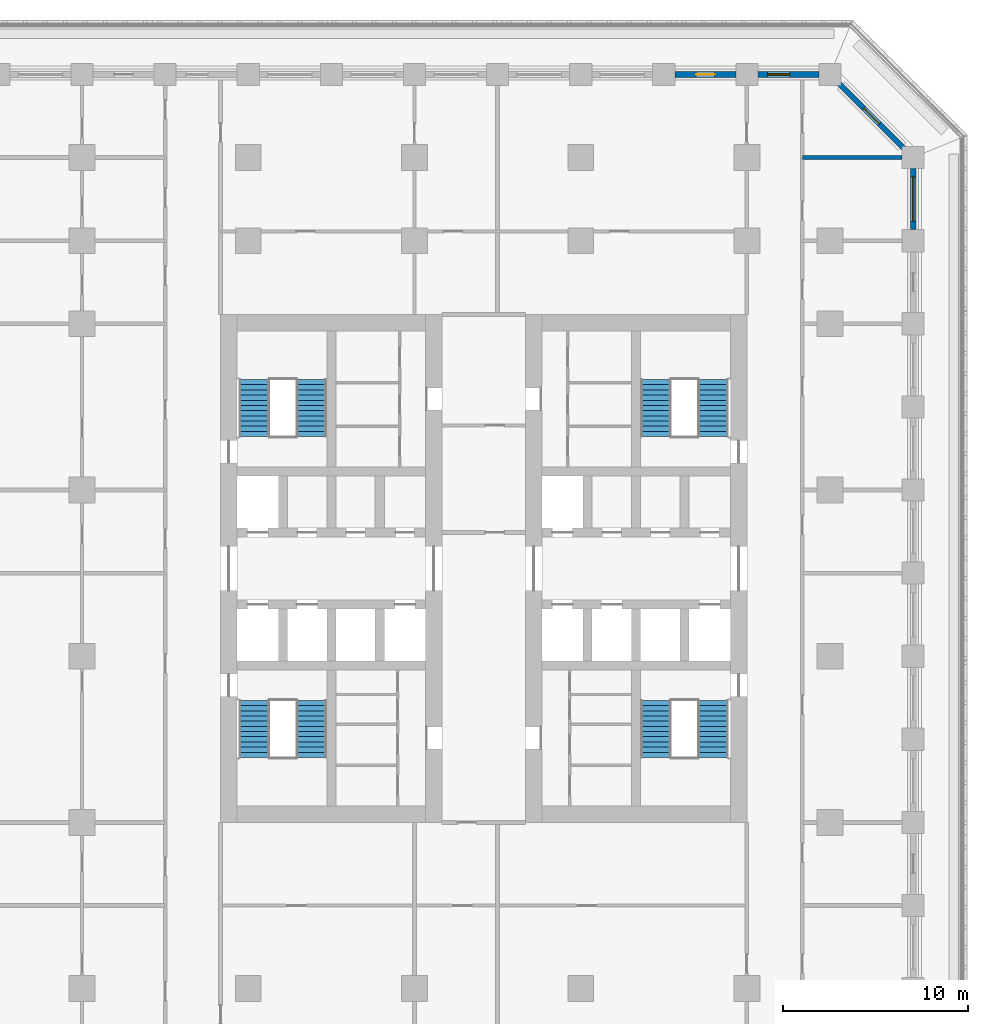
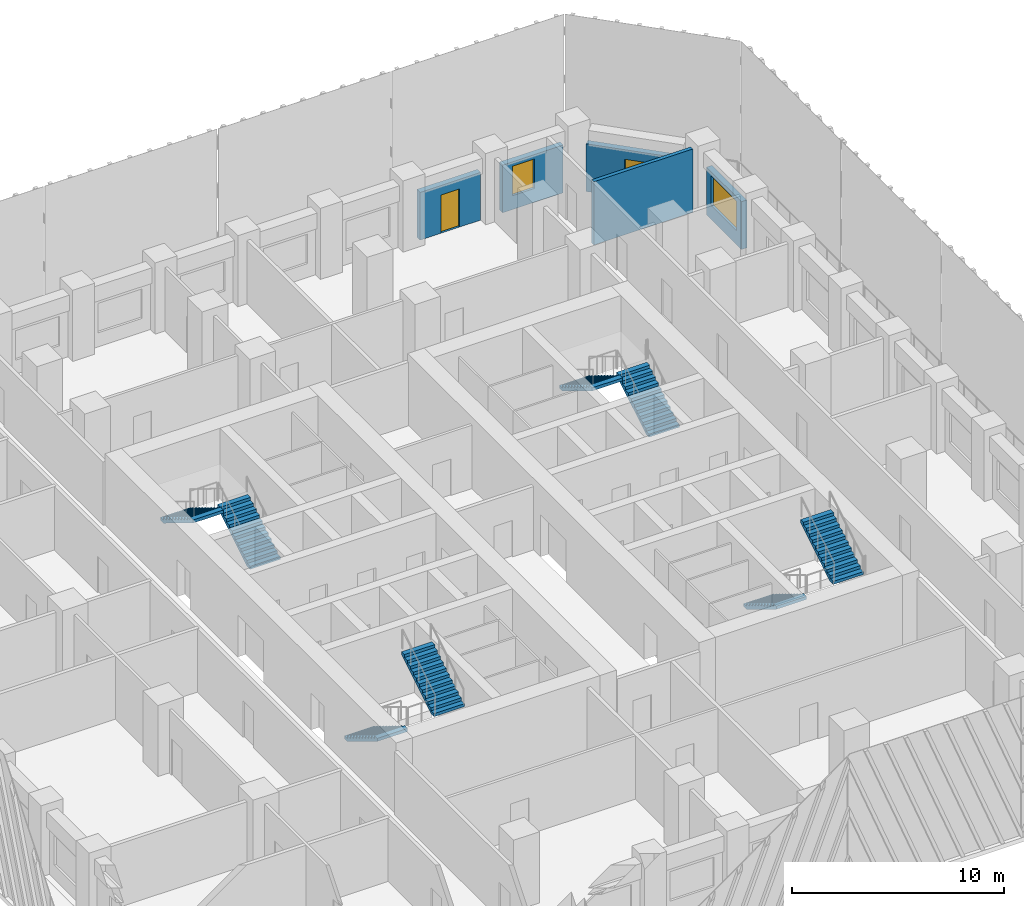
# One storey, part 9 of 19: 8 stair flights, 5 walls, 2 doors, 2 windows, 4 openings, 4 elements without a shape of their own.
"""IFC4 building model written with IfcOpenShell, lengths in metres."""

from ifc_helpers import new_model, si_unit, direction, frame, frame_2d, origin, place, context, subcontext, project, spatial, polyline, rectangle, outline, extrude, material, layer, layer_set, type_object, element, fill, aggregate, save


model = new_model("IFC4")

# Units and contexts
model_context = context("Model", 3, precision=1e-05, world=origin(), true_north=direction((0.0, 1.0)))
body_context = subcontext(model_context, "Body", "Model", "MODEL_VIEW")
ifc_project = project(units=[si_unit("LENGTHUNIT", "METRE"), si_unit("AREAUNIT", "SQUARE_METRE"), si_unit("VOLUMEUNIT", "CUBIC_METRE"), si_unit("PLANEANGLEUNIT", "RADIAN"), si_unit("MASSUNIT", "GRAM", prefix="KILO")], contexts=[model_context])

# Site, building, storey
site_placement = place(None, origin())
site = spatial("IfcSite", under=ifc_project, at=site_placement, CompositionType="ELEMENT")
building_placement = place(site_placement, origin())
building = spatial("IfcBuilding", under=site, at=building_placement, Name="Corbel Stack Research Tower", CompositionType="ELEMENT")
storey_placement = place(building_placement, frame((0.0, 0.0, 133.10009765625)))
storey = spatial("IfcBuildingStorey", under=building, at=storey_placement, Name="L30", CompositionType="ELEMENT", Elevation=133.10009765625)

# Wall
ifc_material_1 = material(Name="Fire-rated gypsum board partition on steel studs", Category="steel")
ifc_layer_1 = layer(ifc_material_1, 0.199951171875)
ifc_layer_set_1 = layer_set([ifc_layer_1], Name="Fire-rated gypsum board partition on steel studs")
wall_type_1 = type_object("IfcWallType", Name="Fire-rated partition 200 EI 60", PredefinedType="PARTITIONING", material=ifc_layer_set_1)
wall_1_placement = place(storey_placement, frame((21.0, 27.0, 0.0), z_axis=(0.0, 0.0, 1.0), x_axis=(1.0, 0.0, 0.0)))
element("IfcWall", 1, at=wall_1_placement, inside=storey, type_object=wall_type_1, Name="Partition L30-056", PredefinedType="PARTITIONING", context=body_context, shape_type="SweptSolid", body=[
    extrude(rectangle(XDim=5.39990234375, YDim=0.199951171875, at=frame_2d((2.699951171875, 0.0))), origin(), (0.0, 0.0, 1.0), 3.64990234375),
])

# Wall, opening, window
ifc_material_2 = material(Name="Concrete C45/55", Category="concrete")
ifc_layer_2 = layer(ifc_material_2, 0.300048828125)
ifc_layer_set_2 = layer_set([ifc_layer_2], Name="Concrete C45/55")
wall_type_2 = type_object("IfcWallType", Name="Terracotta-faced concrete wall 300", PredefinedType="SOLIDWALL", material=ifc_layer_set_2)
wall_2_placement = place(storey_placement, frame((27.0, 26.39990234375, 0.0), z_axis=(0.0, 0.0, 1.0), x_axis=(0.0, -1.0, 0.0)))
wall_2 = element("IfcWall", 2, at=wall_2_placement, inside=storey, type_object=wall_type_2, Name="Facade wall L30 E10", PredefinedType="SOLIDWALL", context=body_context, shape_type="SweptSolid", body=[
    extrude(rectangle(XDim=3.2998046875, YDim=0.300048828125, at=frame_2d((1.64990234375, 0.0))), origin(), (0.0, 0.0, 1.0), 2.75),
])
opening_1_placement = place(wall_2_placement, frame((0.449951171875, 0.0, 0.800048828125)))
opening_1 = element("IfcOpeningElement", 3, at=opening_1_placement, cuts=wall_2, Name="Opening W1", PredefinedType="OPENING", context=body_context, shape_type="SweptSolid", body=[
    extrude(rectangle(XDim=2.39990234375, YDim=1.699951171875, at=frame_2d((1.199951171875, 0.85009765625))), frame((0.0, 0.159912109375, 0.0), z_axis=(0.0, -1.0, 0.0), x_axis=(1.0, 0.0, 0.0)), (0.0, 0.0, 1.0), 0.320068359375),
])
ifc_material_3 = material(Name="Aluminium frame, clear double glazing", Category="aluminium")
window_type_1 = type_object("IfcWindowType", Name="Window W1 2400 x 1700", PartitioningType="SINGLE_PANEL", PredefinedType="WINDOW", material=ifc_material_3)
window_1_placement = place(opening_1_placement, origin())
window_1 = element("IfcWindow", 4, at=window_1_placement, inside=storey, type_object=window_type_1, Name="Window W1 L30 E10", OverallHeight=1.699951171875, OverallWidth=2.39990234375, PartitioningType="SINGLE_PANEL", PredefinedType="WINDOW", context=body_context, shape_type="SweptSolid", body=[
    extrude(rectangle(XDim=2.39990234375, YDim=1.699951171875, at=frame_2d((1.199951171875, 0.85009765625))), frame((0.0, 0.030029296875, 0.0), z_axis=(0.0, -1.0, 0.0), x_axis=(1.0, 0.0, 0.0)), (0.0, 0.0, 1.0), 0.06005859375),
])
fill(opening_1, window_1)

# Wall, opening, door
wall_3_placement = place(storey_placement, frame((22.993896484375, 31.006103515625, 0.0), z_axis=(0.0, 0.0, 1.0), x_axis=(0.707106781187, -0.707106781187, 0.0)))
wall_3 = element("IfcWall", 5, at=wall_3_placement, inside=storey, type_object=wall_type_2, Name="Facade wall L30 NE01", PredefinedType="SOLIDWALL", context=body_context, shape_type="SweptSolid", body=[
    extrude(rectangle(XDim=4.967041015625, YDim=0.300048828125, at=frame_2d((2.4833984375, 0.0))), origin(), (0.0, 0.0, 1.0), 2.75),
])
opening_2_placement = place(wall_3_placement, frame((1.883544921875, 0.0, 0.0)))
opening_2 = element("IfcOpeningElement", 6, at=opening_2_placement, cuts=wall_3, Name="Opening L30-B06", PredefinedType="OPENING", context=body_context, shape_type="SweptSolid", body=[
    extrude(rectangle(XDim=1.199951171875, YDim=2.199951171875, at=frame_2d((0.60009765625, 1.10009765625))), frame((0.0, 0.159912109375, 0.0), z_axis=(0.0, -1.0, 0.0), x_axis=(1.0, 0.0, 0.0)), (0.0, 0.0, 1.0), 0.320068359375),
])
ifc_material_4 = material(Name="Aluminium frame, clear double glazing", Category="aluminium")
door_type_1 = type_object("IfcDoorType", Name="Balcony door BD2 1200 x 2200", OperationType="NOTDEFINED", PredefinedType="DOOR", material=ifc_material_4)
door_1_placement = place(opening_2_placement, origin())
door_1 = element("IfcDoor", 7, at=door_1_placement, inside=storey, type_object=door_type_1, Name="Balcony door L30-B06", OperationType="SINGLE_SWING_LEFT", OverallHeight=2.199951171875, OverallWidth=1.199951171875, PredefinedType="DOOR", context=body_context, shape_type="SweptSolid", body=[
    extrude(rectangle(XDim=1.199951171875, YDim=2.199951171875, at=frame_2d((0.60009765625, 1.10009765625))), frame((0.0, 0.02490234375, 0.0), z_axis=(0.0, -1.0, 0.0), x_axis=(1.0, 0.0, 0.0)), (0.0, 0.0, 1.0), 0.050048828125),
])
fill(opening_2, door_1)

# Wall, opening, window
wall_4_placement = place(storey_placement, frame((18.60009765625, 31.5, 0.0), z_axis=(0.0, 0.0, 1.0), x_axis=(1.0, 0.0, 0.0)))
wall_4 = element("IfcWall", 8, at=wall_4_placement, inside=storey, type_object=wall_type_2, Name="Facade wall L30 N01", PredefinedType="SOLIDWALL", context=body_context, shape_type="SweptSolid", body=[
    extrude(rectangle(XDim=3.2998046875, YDim=0.300048828125, at=frame_2d((1.64990234375, 0.0))), origin(), (0.0, 0.0, 1.0), 2.75),
])
opening_3_placement = place(wall_4_placement, frame((0.52490234375, 0.0, 0.800048828125)))
opening_3 = element("IfcOpeningElement", 9, at=opening_3_placement, cuts=wall_4, Name="Opening W2", PredefinedType="OPENING", context=body_context, shape_type="SweptSolid", body=[
    extrude(rectangle(XDim=1.199951171875, YDim=1.699951171875, at=frame_2d((0.60009765625, 0.85009765625))), frame((0.0, 0.159912109375, 0.0), z_axis=(0.0, -1.0, 0.0), x_axis=(1.0, 0.0, 0.0)), (0.0, 0.0, 1.0), 0.320068359375),
])
ifc_material_5 = material(Name="Aluminium frame, clear double glazing", Category="aluminium")
window_type_2 = type_object("IfcWindowType", Name="Window W2 1200 x 1700", PartitioningType="SINGLE_PANEL", PredefinedType="WINDOW", material=ifc_material_5)
window_2_placement = place(opening_3_placement, origin())
window_2 = element("IfcWindow", 10, at=window_2_placement, inside=storey, type_object=window_type_2, Name="Window W2 L30 N01", OverallHeight=1.699951171875, OverallWidth=1.199951171875, PartitioningType="SINGLE_PANEL", PredefinedType="WINDOW", context=body_context, shape_type="SweptSolid", body=[
    extrude(rectangle(XDim=1.199951171875, YDim=1.699951171875, at=frame_2d((0.60009765625, 0.85009765625))), frame((0.0, 0.030029296875, 0.0), z_axis=(0.0, -1.0, 0.0), x_axis=(1.0, 0.0, 0.0)), (0.0, 0.0, 1.0), 0.06005859375),
])
fill(opening_3, window_2)

# Wall, opening, door
wall_5_placement = place(storey_placement, frame((14.10009765625, 31.5, 0.0), z_axis=(0.0, 0.0, 1.0), x_axis=(1.0, 0.0, 0.0)))
wall_5 = element("IfcWall", 11, at=wall_5_placement, inside=storey, type_object=wall_type_2, Name="Facade wall L30 N02", PredefinedType="SOLIDWALL", context=body_context, shape_type="SweptSolid", body=[
    extrude(rectangle(XDim=3.2998046875, YDim=0.300048828125, at=frame_2d((1.64990234375, 0.0))), origin(), (0.0, 0.0, 1.0), 2.75),
])
opening_4_placement = place(wall_5_placement, frame((1.14990234375, 0.0, 0.0)))
opening_4 = element("IfcOpeningElement", 12, at=opening_4_placement, cuts=wall_5, Name="Opening L30-B07", PredefinedType="OPENING", context=body_context, shape_type="SweptSolid", body=[
    extrude(rectangle(XDim=1.0, YDim=2.199951171875, at=frame_2d((0.5, 1.10009765625))), frame((0.0, 0.159912109375, 0.0), z_axis=(0.0, -1.0, 0.0), x_axis=(1.0, 0.0, 0.0)), (0.0, 0.0, 1.0), 0.320068359375),
])
ifc_material_6 = material(Name="Aluminium frame, clear double glazing", Category="aluminium")
door_type_2 = type_object("IfcDoorType", Name="Balcony door BD1 1000 x 2200", OperationType="NOTDEFINED", PredefinedType="DOOR", material=ifc_material_6)
door_2_placement = place(opening_4_placement, origin())
door_2 = element("IfcDoor", 13, at=door_2_placement, inside=storey, type_object=door_type_2, Name="Balcony door L30-B07", OperationType="SINGLE_SWING_RIGHT", OverallHeight=2.199951171875, OverallWidth=1.0, PredefinedType="DOOR", context=body_context, shape_type="SweptSolid", body=[
    extrude(rectangle(XDim=1.0, YDim=2.199951171875, at=frame_2d((0.5, 1.10009765625))), frame((0.0, 0.02490234375, 0.0), z_axis=(0.0, -1.0, 0.0), x_axis=(1.0, 0.0, 0.0)), (0.0, 0.0, 1.0), 0.050048828125),
])
fill(opening_4, door_2)

# Stair, stair flights
ifc_material_7 = material(Name="Concrete C40/50", Category="concrete")
stair_type = type_object("IfcStairType", Name="Exit stair 24 risers", PredefinedType="HALF_TURN_STAIR", material=ifc_material_7)
stair_1_placement = place(storey_placement, origin())
stair_1 = element("IfcStair", 14, at=stair_1_placement, inside=storey, type_object=stair_type, Name="L30 Exit stair ST-W1", PredefinedType="HALF_TURN_STAIR")
ifc_material_8 = material(Name="Concrete C40/50", Category="concrete")
stair_flight_type = type_object("IfcStairFlightType", Name="Stair flight 12 risers", PredefinedType="STRAIGHT", material=ifc_material_8)
stair_flight_1_placement = place(storey_placement, frame((-8.675048828125, -2.39990234375, 0.0), z_axis=(0.0, 0.0, 1.0), x_axis=(0.0, -1.0, 0.0)))
stair_flight_1 = element("IfcStairFlight", 15, at=stair_flight_1_placement, type_object=stair_flight_type, Name="ST-W1 flight 1", NumberOfRisers=12, NumberOfTreads=11, PredefinedType="STRAIGHT", RiserHeight=0.170833333, TreadLength=0.28, context=body_context, shape_type="SweptSolid", body=[
    extrude(outline(polyline([(0.0, 0.0), (0.0, 0.1708984375), (0.280029296875, 0.1708984375), (0.280029296875, 0.341552734375), (0.56005859375, 0.341552734375), (0.56005859375, 0.512451171875), (0.840087890625, 0.512451171875), (0.840087890625, 0.683349609375), (1.1201171875, 0.683349609375), (1.1201171875, 0.854248046875), (1.39990234375, 0.854248046875), (1.39990234375, 1.02490234375), (1.679931640625, 1.02490234375), (1.679931640625, 1.19580078125), (1.9599609375, 1.19580078125), (1.9599609375, 1.36669921875), (2.239990234375, 1.36669921875), (2.239990234375, 1.53759765625), (2.52001953125, 1.53759765625), (2.52001953125, 1.708251953125), (2.800048828125, 1.708251953125), (2.800048828125, 1.879150390625), (3.080078125, 1.879150390625), (3.080078125, 2.050048828125), (3.080078125, 1.70361328125), (0.287841796875, 0.0), (0.0, 0.0)])), frame((0.0, 0.824951171875, 0.0), z_axis=(0.0, -1.0, 0.0), x_axis=(1.0, 0.0, 0.0)), (0.0, 0.0, 1.0), 1.64990234375),
])
stair_flight_2_placement = place(storey_placement, frame((-5.574951171875, -5.47998046875, 2.0498046875), z_axis=(0.0, 0.0, 1.0), x_axis=(0.0, 1.0, 0.0)))
stair_flight_2 = element("IfcStairFlight", 16, at=stair_flight_2_placement, type_object=stair_flight_type, Name="ST-W1 flight 2", NumberOfRisers=12, NumberOfTreads=11, PredefinedType="STRAIGHT", RiserHeight=0.170833333, TreadLength=0.28, context=body_context, shape_type="SweptSolid", body=[
    extrude(outline(polyline([(0.0, 0.0), (0.0, 0.1708984375), (0.280029296875, 0.1708984375), (0.280029296875, 0.341552734375), (0.56005859375, 0.341552734375), (0.56005859375, 0.512451171875), (0.840087890625, 0.512451171875), (0.840087890625, 0.683349609375), (1.1201171875, 0.683349609375), (1.1201171875, 0.854248046875), (1.39990234375, 0.854248046875), (1.39990234375, 1.02490234375), (1.679931640625, 1.02490234375), (1.679931640625, 1.19580078125), (1.9599609375, 1.19580078125), (1.9599609375, 1.36669921875), (2.239990234375, 1.36669921875), (2.239990234375, 1.53759765625), (2.52001953125, 1.53759765625), (2.52001953125, 1.708251953125), (2.800048828125, 1.708251953125), (2.800048828125, 1.879150390625), (3.080078125, 1.879150390625), (3.080078125, 2.050048828125), (3.080078125, 1.70361328125), (0.287841796875, 0.0), (0.0, 0.0)])), frame((0.0, 0.824951171875, 0.0), z_axis=(0.0, -1.0, 0.0), x_axis=(1.0, 0.0, 0.0)), (0.0, 0.0, 1.0), 1.64990234375),
])
aggregate(stair_1, [stair_flight_1, stair_flight_2])

stair_2_placement = place(storey_placement, origin())
stair_2 = element("IfcStair", 17, at=stair_2_placement, inside=storey, type_object=stair_type, Name="L30 Exit stair ST-W2", PredefinedType="HALF_TURN_STAIR")
stair_flight_3_placement = place(storey_placement, frame((-5.574951171875, 11.89990234375, 0.0), z_axis=(0.0, 0.0, 1.0), x_axis=(0.0, 1.0, 0.0)))
stair_flight_3 = element("IfcStairFlight", 18, at=stair_flight_3_placement, type_object=stair_flight_type, Name="ST-W2 flight 1", NumberOfRisers=12, NumberOfTreads=11, PredefinedType="STRAIGHT", RiserHeight=0.170833333, TreadLength=0.28, context=body_context, shape_type="SweptSolid", body=[
    extrude(outline(polyline([(0.0, 0.0), (0.0, 0.1708984375), (0.280029296875, 0.1708984375), (0.280029296875, 0.341552734375), (0.56005859375, 0.341552734375), (0.56005859375, 0.512451171875), (0.840087890625, 0.512451171875), (0.840087890625, 0.683349609375), (1.1201171875, 0.683349609375), (1.1201171875, 0.854248046875), (1.39990234375, 0.854248046875), (1.39990234375, 1.02490234375), (1.679931640625, 1.02490234375), (1.679931640625, 1.19580078125), (1.9599609375, 1.19580078125), (1.9599609375, 1.36669921875), (2.239990234375, 1.36669921875), (2.239990234375, 1.53759765625), (2.52001953125, 1.53759765625), (2.52001953125, 1.708251953125), (2.800048828125, 1.708251953125), (2.800048828125, 1.879150390625), (3.080078125, 1.879150390625), (3.080078125, 2.050048828125), (3.080078125, 1.70361328125), (0.287841796875, 0.0), (0.0, 0.0)])), frame((0.0, 0.824951171875, 0.0), z_axis=(0.0, -1.0, 0.0), x_axis=(1.0, 0.0, 0.0)), (0.0, 0.0, 1.0), 1.64990234375),
])
stair_flight_4_placement = place(storey_placement, frame((-8.675048828125, 14.97998046875, 2.0498046875), z_axis=(0.0, 0.0, 1.0), x_axis=(0.0, -1.0, 0.0)))
stair_flight_4 = element("IfcStairFlight", 19, at=stair_flight_4_placement, type_object=stair_flight_type, Name="ST-W2 flight 2", NumberOfRisers=12, NumberOfTreads=11, PredefinedType="STRAIGHT", RiserHeight=0.170833333, TreadLength=0.28, context=body_context, shape_type="SweptSolid", body=[
    extrude(outline(polyline([(0.0, 0.0), (0.0, 0.1708984375), (0.280029296875, 0.1708984375), (0.280029296875, 0.341552734375), (0.56005859375, 0.341552734375), (0.56005859375, 0.512451171875), (0.840087890625, 0.512451171875), (0.840087890625, 0.683349609375), (1.1201171875, 0.683349609375), (1.1201171875, 0.854248046875), (1.39990234375, 0.854248046875), (1.39990234375, 1.02490234375), (1.679931640625, 1.02490234375), (1.679931640625, 1.19580078125), (1.9599609375, 1.19580078125), (1.9599609375, 1.36669921875), (2.239990234375, 1.36669921875), (2.239990234375, 1.53759765625), (2.52001953125, 1.53759765625), (2.52001953125, 1.708251953125), (2.800048828125, 1.708251953125), (2.800048828125, 1.879150390625), (3.080078125, 1.879150390625), (3.080078125, 2.050048828125), (3.080078125, 1.70361328125), (0.287841796875, 0.0), (0.0, 0.0)])), frame((0.0, 0.824951171875, 0.0), z_axis=(0.0, -1.0, 0.0), x_axis=(1.0, 0.0, 0.0)), (0.0, 0.0, 1.0), 1.64990234375),
])
aggregate(stair_2, [stair_flight_3, stair_flight_4])

stair_3_placement = place(storey_placement, origin())
stair_3 = element("IfcStair", 20, at=stair_3_placement, inside=storey, type_object=stair_type, Name="L30 Exit stair ST-E1", PredefinedType="HALF_TURN_STAIR")
stair_flight_5_placement = place(storey_placement, frame((13.074951171875, -2.39990234375, 0.0), z_axis=(0.0, 0.0, 1.0), x_axis=(0.0, -1.0, 0.0)))
stair_flight_5 = element("IfcStairFlight", 21, at=stair_flight_5_placement, type_object=stair_flight_type, Name="ST-E1 flight 1", NumberOfRisers=12, NumberOfTreads=11, PredefinedType="STRAIGHT", RiserHeight=0.170833333, TreadLength=0.28, context=body_context, shape_type="SweptSolid", body=[
    extrude(outline(polyline([(0.0, 0.0), (0.0, 0.1708984375), (0.280029296875, 0.1708984375), (0.280029296875, 0.341552734375), (0.56005859375, 0.341552734375), (0.56005859375, 0.512451171875), (0.840087890625, 0.512451171875), (0.840087890625, 0.683349609375), (1.1201171875, 0.683349609375), (1.1201171875, 0.854248046875), (1.39990234375, 0.854248046875), (1.39990234375, 1.02490234375), (1.679931640625, 1.02490234375), (1.679931640625, 1.19580078125), (1.9599609375, 1.19580078125), (1.9599609375, 1.36669921875), (2.239990234375, 1.36669921875), (2.239990234375, 1.53759765625), (2.52001953125, 1.53759765625), (2.52001953125, 1.708251953125), (2.800048828125, 1.708251953125), (2.800048828125, 1.879150390625), (3.080078125, 1.879150390625), (3.080078125, 2.050048828125), (3.080078125, 1.70361328125), (0.287841796875, 0.0), (0.0, 0.0)])), frame((0.0, 0.824951171875, 0.0), z_axis=(0.0, -1.0, 0.0), x_axis=(1.0, 0.0, 0.0)), (0.0, 0.0, 1.0), 1.64990234375),
])
stair_flight_6_placement = place(storey_placement, frame((16.175048828125, -5.47998046875, 2.0498046875), z_axis=(0.0, 0.0, 1.0), x_axis=(0.0, 1.0, 0.0)))
stair_flight_6 = element("IfcStairFlight", 22, at=stair_flight_6_placement, type_object=stair_flight_type, Name="ST-E1 flight 2", NumberOfRisers=12, NumberOfTreads=11, PredefinedType="STRAIGHT", RiserHeight=0.170833333, TreadLength=0.28, context=body_context, shape_type="SweptSolid", body=[
    extrude(outline(polyline([(0.0, 0.0), (0.0, 0.1708984375), (0.280029296875, 0.1708984375), (0.280029296875, 0.341552734375), (0.56005859375, 0.341552734375), (0.56005859375, 0.512451171875), (0.840087890625, 0.512451171875), (0.840087890625, 0.683349609375), (1.1201171875, 0.683349609375), (1.1201171875, 0.854248046875), (1.39990234375, 0.854248046875), (1.39990234375, 1.02490234375), (1.679931640625, 1.02490234375), (1.679931640625, 1.19580078125), (1.9599609375, 1.19580078125), (1.9599609375, 1.36669921875), (2.239990234375, 1.36669921875), (2.239990234375, 1.53759765625), (2.52001953125, 1.53759765625), (2.52001953125, 1.708251953125), (2.800048828125, 1.708251953125), (2.800048828125, 1.879150390625), (3.080078125, 1.879150390625), (3.080078125, 2.050048828125), (3.080078125, 1.70361328125), (0.287841796875, 0.0), (0.0, 0.0)])), frame((0.0, 0.824951171875, 0.0), z_axis=(0.0, -1.0, 0.0), x_axis=(1.0, 0.0, 0.0)), (0.0, 0.0, 1.0), 1.64990234375),
])
aggregate(stair_3, [stair_flight_5, stair_flight_6])

stair_4_placement = place(storey_placement, origin())
stair_4 = element("IfcStair", 23, at=stair_4_placement, inside=storey, type_object=stair_type, Name="L30 Exit stair ST-E2", PredefinedType="HALF_TURN_STAIR")
stair_flight_7_placement = place(storey_placement, frame((16.175048828125, 11.89990234375, 0.0), z_axis=(0.0, 0.0, 1.0), x_axis=(0.0, 1.0, 0.0)))
stair_flight_7 = element("IfcStairFlight", 24, at=stair_flight_7_placement, type_object=stair_flight_type, Name="ST-E2 flight 1", NumberOfRisers=12, NumberOfTreads=11, PredefinedType="STRAIGHT", RiserHeight=0.170833333, TreadLength=0.28, context=body_context, shape_type="SweptSolid", body=[
    extrude(outline(polyline([(0.0, 0.0), (0.0, 0.1708984375), (0.280029296875, 0.1708984375), (0.280029296875, 0.341552734375), (0.56005859375, 0.341552734375), (0.56005859375, 0.512451171875), (0.840087890625, 0.512451171875), (0.840087890625, 0.683349609375), (1.1201171875, 0.683349609375), (1.1201171875, 0.854248046875), (1.39990234375, 0.854248046875), (1.39990234375, 1.02490234375), (1.679931640625, 1.02490234375), (1.679931640625, 1.19580078125), (1.9599609375, 1.19580078125), (1.9599609375, 1.36669921875), (2.239990234375, 1.36669921875), (2.239990234375, 1.53759765625), (2.52001953125, 1.53759765625), (2.52001953125, 1.708251953125), (2.800048828125, 1.708251953125), (2.800048828125, 1.879150390625), (3.080078125, 1.879150390625), (3.080078125, 2.050048828125), (3.080078125, 1.70361328125), (0.287841796875, 0.0), (0.0, 0.0)])), frame((0.0, 0.824951171875, 0.0), z_axis=(0.0, -1.0, 0.0), x_axis=(1.0, 0.0, 0.0)), (0.0, 0.0, 1.0), 1.64990234375),
])
stair_flight_8_placement = place(storey_placement, frame((13.074951171875, 14.97998046875, 2.0498046875), z_axis=(0.0, 0.0, 1.0), x_axis=(0.0, -1.0, 0.0)))
stair_flight_8 = element("IfcStairFlight", 25, at=stair_flight_8_placement, type_object=stair_flight_type, Name="ST-E2 flight 2", NumberOfRisers=12, NumberOfTreads=11, PredefinedType="STRAIGHT", RiserHeight=0.170833333, TreadLength=0.28, context=body_context, shape_type="SweptSolid", body=[
    extrude(outline(polyline([(0.0, 0.0), (0.0, 0.1708984375), (0.280029296875, 0.1708984375), (0.280029296875, 0.341552734375), (0.56005859375, 0.341552734375), (0.56005859375, 0.512451171875), (0.840087890625, 0.512451171875), (0.840087890625, 0.683349609375), (1.1201171875, 0.683349609375), (1.1201171875, 0.854248046875), (1.39990234375, 0.854248046875), (1.39990234375, 1.02490234375), (1.679931640625, 1.02490234375), (1.679931640625, 1.19580078125), (1.9599609375, 1.19580078125), (1.9599609375, 1.36669921875), (2.239990234375, 1.36669921875), (2.239990234375, 1.53759765625), (2.52001953125, 1.53759765625), (2.52001953125, 1.708251953125), (2.800048828125, 1.708251953125), (2.800048828125, 1.879150390625), (3.080078125, 1.879150390625), (3.080078125, 2.050048828125), (3.080078125, 1.70361328125), (0.287841796875, 0.0), (0.0, 0.0)])), frame((0.0, 0.824951171875, 0.0), z_axis=(0.0, -1.0, 0.0), x_axis=(1.0, 0.0, 0.0)), (0.0, 0.0, 1.0), 1.64990234375),
])
aggregate(stair_4, [stair_flight_7, stair_flight_8])

save(model, "model.ifc")
